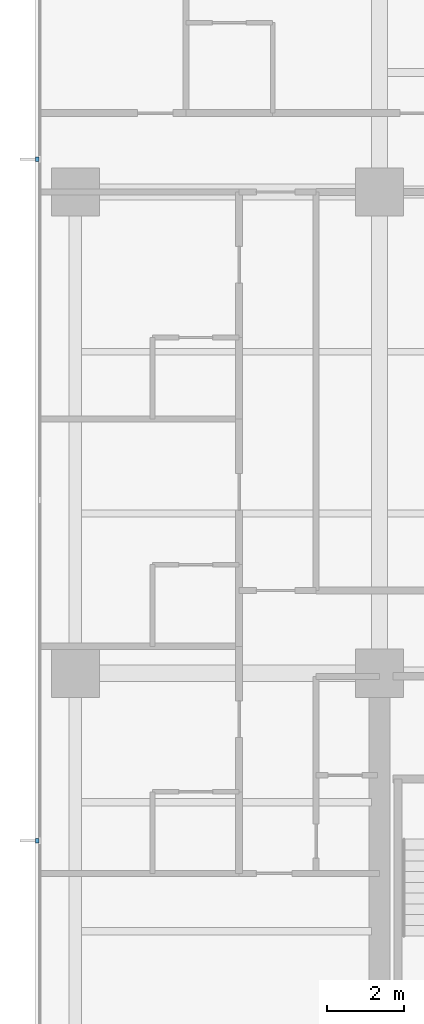
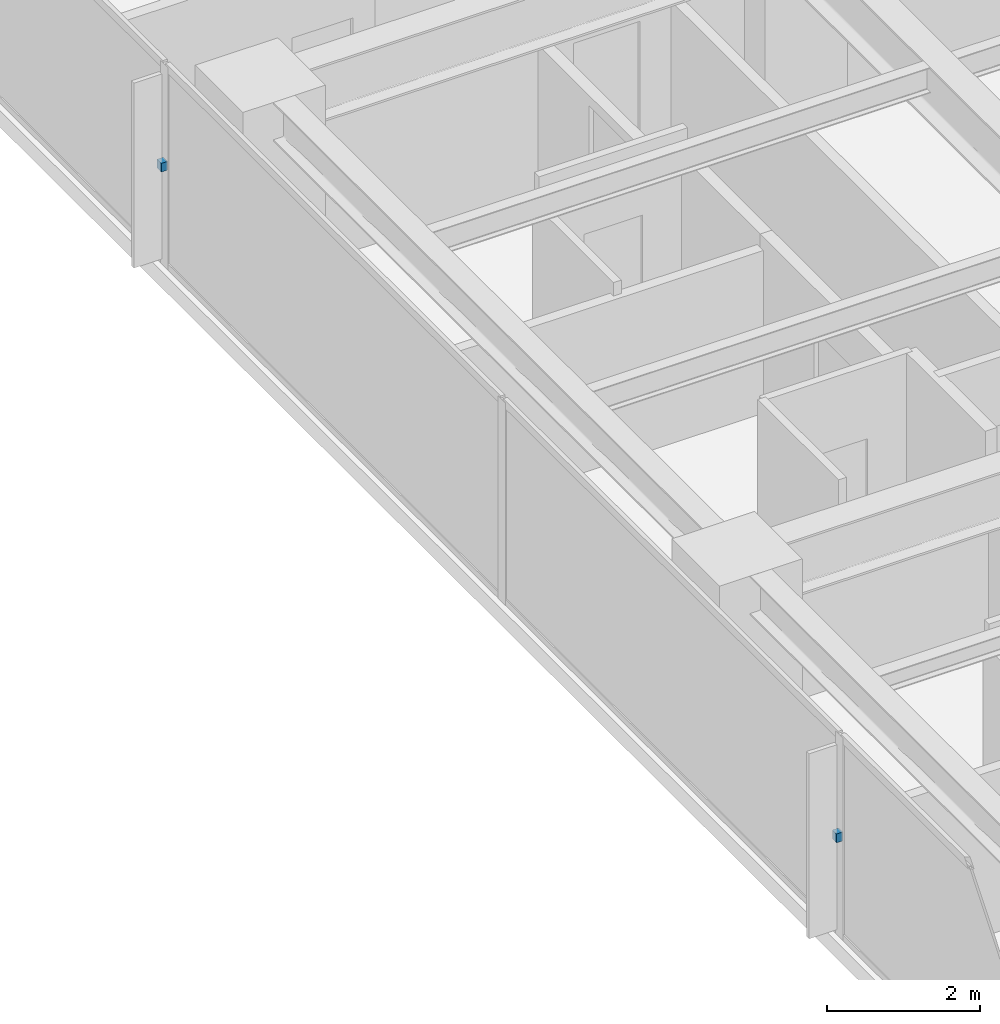
# One storey, part 13 of 17: 2 discrete accessories.
"""IFC4 building model written with IfcOpenShell, lengths in metres."""

from ifc_helpers import new_model, si_unit, direction, frame, origin, place, context, subcontext, project, spatial, polyline, outline, extrude, material, type_object, element, save


model = new_model("IFC4")

# Units and contexts
model_context = context("Model", 3, precision=1e-05, world=origin(), true_north=direction((0.0, 1.0)))
body_context = subcontext(model_context, "Body", "Model", "MODEL_VIEW")
ifc_project = project(units=[si_unit("LENGTHUNIT", "METRE"), si_unit("AREAUNIT", "SQUARE_METRE"), si_unit("VOLUMEUNIT", "CUBIC_METRE"), si_unit("PLANEANGLEUNIT", "RADIAN"), si_unit("MASSUNIT", "GRAM", prefix="KILO")], contexts=[model_context])

# Site, building, storey
site_placement = place(None, origin())
site = spatial("IfcSite", under=ifc_project, at=site_placement, CompositionType="ELEMENT")
building_placement = place(site_placement, origin())
building = spatial("IfcBuilding", under=site, at=building_placement, Name="Qalmaran Belvedere Hotel", CompositionType="ELEMENT")
storey_placement = place(building_placement, frame((0.0, 0.0, 98.699951171875)))
storey = spatial("IfcBuildingStorey", under=building, at=storey_placement, Name="L24", CompositionType="ELEMENT", Elevation=98.699951171875)

# Discrete accessories
ifc_material = material(Name="Stainless Steel 1.4401", Category="steel")
discrete_accessory_type = type_object("IfcDiscreteAccessoryType", Name="BRK-FIN-SS316", PredefinedType="BRACKET", material=ifc_material)
discrete_accessory_1_placement = place(storey_placement, frame((0.0, 0.0, 1.570068359375)))
element("IfcDiscreteAccessory", 1, at=discrete_accessory_1_placement, inside=storey, type_object=discrete_accessory_type, Name="L24 Fin Bracket 1", PredefinedType="BRACKET", context=body_context, shape_type="SweptSolid", body=[
    extrude(outline(polyline([(11.455078125, 33.905029296875), (11.360107421875, 33.905029296875), (11.360107421875, 33.794921875), (11.455078125, 33.794921875), (11.455078125, 33.905029296875)])), origin(), (0.0, 0.0, 1.0), 0.139892578125),
])
discrete_accessory_2_placement = place(storey_placement, frame((0.0, 0.0, 1.570068359375)))
element("IfcDiscreteAccessory", 2, at=discrete_accessory_2_placement, inside=storey, type_object=discrete_accessory_type, Name="L24 Fin Bracket 3", PredefinedType="BRACKET", context=body_context, shape_type="SweptSolid", body=[
    extrude(outline(polyline([(11.455078125, 16.205078125), (11.360107421875, 16.205078125), (11.360107421875, 16.094970703125), (11.455078125, 16.094970703125), (11.455078125, 16.205078125)])), origin(), (0.0, 0.0, 1.0), 0.139892578125),
])

save(model, "model.ifc")
